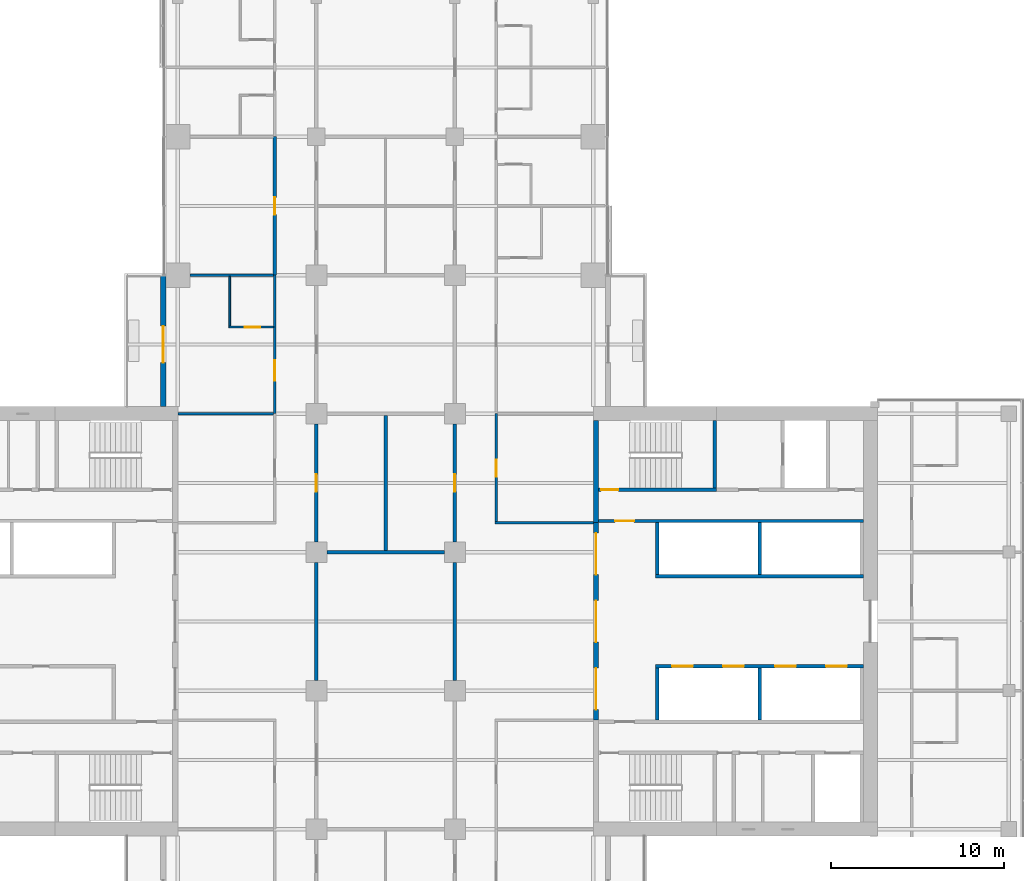
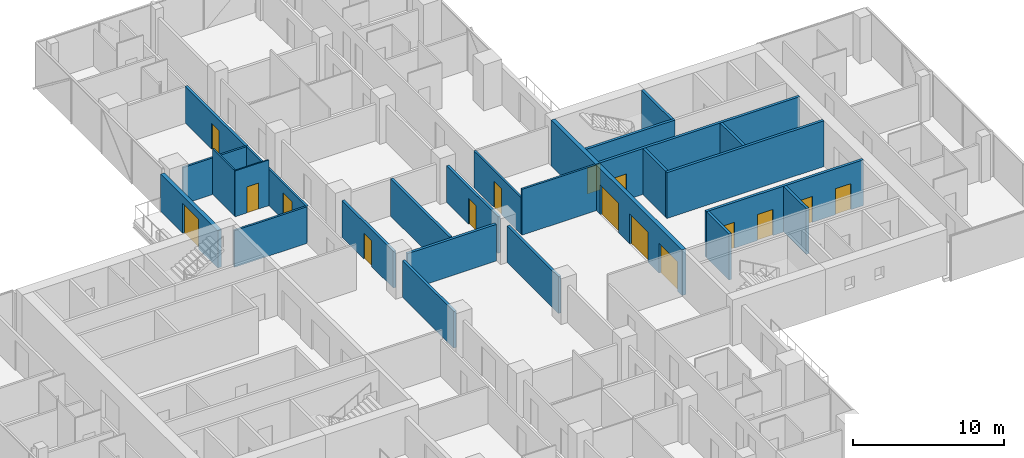
# One storey, part 19 of 27: 26 walls, 16 doors, 16 openings.
"""IFC4 building model written with IfcOpenShell, lengths in metres."""

from ifc_helpers import new_model, si_unit, direction, frame, frame_2d, origin, place, context, subcontext, project, spatial, rectangle, extrude, material, layer, layer_set, type_object, element, fill, save


model = new_model("IFC4")

# Units and contexts
model_context = context("Model", 3, precision=1e-05, world=origin(), true_north=direction((0.0, 1.0)))
body_context = subcontext(model_context, "Body", "Model", "MODEL_VIEW")
ifc_project = project(units=[si_unit("LENGTHUNIT", "METRE"), si_unit("AREAUNIT", "SQUARE_METRE"), si_unit("VOLUMEUNIT", "CUBIC_METRE"), si_unit("PLANEANGLEUNIT", "RADIAN"), si_unit("MASSUNIT", "GRAM", prefix="KILO")], contexts=[model_context])

# Site, building, storey
site_placement = place(None, origin())
site = spatial("IfcSite", under=ifc_project, at=site_placement, CompositionType="ELEMENT")
building_placement = place(site_placement, origin())
building = spatial("IfcBuilding", under=site, at=building_placement, Name="Crosswind Convention Tower", CompositionType="ELEMENT")
storey_placement = place(building_placement, frame((0.0, 0.0, 83.10009765625)))
storey = spatial("IfcBuildingStorey", under=building, at=storey_placement, Name="L15", CompositionType="ELEMENT", Elevation=83.10009765625)

# Wall
ifc_material_1 = material(Name="Plasterboard partition", Category="gypsum")
ifc_layer_1 = layer(ifc_material_1, 0.14990234375)
ifc_layer_set_1 = layer_set([ifc_layer_1], Name="CORRIDOR WALL 150")
wall_type_1 = type_object("IfcWallType", Name="CORRIDOR WALL 150", PredefinedType="PARTITIONING", material=ifc_layer_set_1)
wall_1_placement = place(storey_placement, frame((131.324951171875, 105.699951171875, 0.0), z_axis=(0.0, 0.0, 1.0), x_axis=(1.0, 0.0, 0.0)))
element("IfcWall", 1, at=wall_1_placement, inside=storey, type_object=wall_type_1, Name="Corridor Wall 40", PredefinedType="PARTITIONING", context=body_context, shape_type="SweptSolid", body=[
    extrude(rectangle(XDim=5.675048828125, YDim=0.14990234375, at=frame_2d((2.83740234375, 0.0))), origin(), (0.0, 0.0, 1.0), 3.699951171875),
])

# Wall, opening, door
wall_2_placement = place(storey_placement, frame((131.39990234375, 105.77490234375, 0.0), z_axis=(0.0, 0.0, 1.0), x_axis=(0.0, 1.0, 0.0)))
wall_2 = element("IfcWall", 2, at=wall_2_placement, inside=storey, type_object=wall_type_1, Name="Corridor Wall 111", PredefinedType="PARTITIONING", context=body_context, shape_type="SweptSolid", body=[
    extrude(rectangle(XDim=6.22509765625, YDim=0.14990234375, at=frame_2d((3.112548828125, 0.0))), origin(), (0.0, 0.0, 1.0), 2.956298828125),
])
opening_1_placement = place(wall_2_placement, frame((2.574951171875, 0.0, 0.0)))
opening_1 = element("IfcOpeningElement", 3, at=opening_1_placement, cuts=wall_2, Name="Opening 15.001", PredefinedType="OPENING", context=body_context, shape_type="SweptSolid", body=[
    extrude(rectangle(XDim=1.0, YDim=2.10009765625, at=frame_2d((0.5, 1.050048828125))), frame((0.0, 0.0849609375, 0.0), z_axis=(0.0, -1.0, 0.0), x_axis=(1.0, 0.0, 0.0)), (0.0, 0.0, 1.0), 0.169921875),
])
ifc_material_2 = material(Name="Timber fire door", Category="wood")
door_type_1 = type_object("IfcDoorType", Name="SERVICE ROOM DOOR 1000X2100", OperationType="NOTDEFINED", PredefinedType="DOOR", material=ifc_material_2)
door_1_placement = place(opening_1_placement, frame((1.0, 0.0, 0.0), z_axis=(0.0, 0.0, 1.0), x_axis=(-1.0, 0.0, 0.0)))
door_1 = element("IfcDoor", 4, at=door_1_placement, inside=storey, type_object=door_type_1, Name="Door 15.001", ObjectType="D3", OperationType="SINGLE_SWING_LEFT", OverallHeight=2.10009765625, OverallWidth=1.0, PredefinedType="DOOR", context=body_context, shape_type="SweptSolid", body=[
    extrude(rectangle(XDim=1.0, YDim=2.10009765625, at=frame_2d((0.5, 1.050048828125))), frame((0.0, 0.02490234375, 0.0), z_axis=(0.0, -1.0, 0.0), x_axis=(1.0, 0.0, 0.0)), (0.0, 0.0, 1.0), 0.050048828125),
])
fill(opening_1, door_1)

# Wall, openings, doors
ifc_material_3 = material(Name="Concrete C50/60", Category="concrete")
ifc_layer_2 = layer(ifc_material_3, 0.300048828125)
ifc_layer_set_2 = layer_set([ifc_layer_2], Name="Concrete C50/60")
wall_type_2 = type_object("IfcWallType", Name="Concrete inner core wall 300", PredefinedType="SHEAR", material=ifc_layer_set_2)
wall_3_placement = place(storey_placement, frame((137.14990234375, 94.300048828125, 0.0), z_axis=(0.0, 0.0, 1.0), x_axis=(0.0, 1.0, 0.0)))
wall_3 = element("IfcWall", 5, at=wall_3_placement, inside=storey, type_object=wall_type_2, Name="Wall SCR E L15", PredefinedType="SHEAR", context=body_context, shape_type="SweptSolid", body=[
    extrude(rectangle(XDim=11.39990234375, YDim=0.300048828125, at=frame_2d((5.699951171875, 0.0))), origin(), (0.0, 0.0, 1.0), 3.699951171875),
])
opening_2_placement = place(wall_3_placement, frame((0.60009765625, 0.0, 0.0)))
opening_2 = element("IfcOpeningElement", 6, at=opening_2_placement, cuts=wall_3, Name="Opening D100", PredefinedType="OPENING", context=body_context, shape_type="SweptSolid", body=[
    extrude(rectangle(XDim=2.39990234375, YDim=2.39990234375, at=frame_2d((1.199951171875, 1.199951171875))), frame((0.0, 0.159912109375, 0.0), z_axis=(0.0, -1.0, 0.0), x_axis=(1.0, 0.0, 0.0)), (0.0, 0.0, 1.0), 0.320068359375),
])
opening_3_placement = place(wall_3_placement, frame((4.5, 0.0, 0.0)))
opening_3 = element("IfcOpeningElement", 7, at=opening_3_placement, cuts=wall_3, Name="Opening D100", PredefinedType="OPENING", context=body_context, shape_type="SweptSolid", body=[
    extrude(rectangle(XDim=2.39990234375, YDim=2.39990234375, at=frame_2d((1.199951171875, 1.199951171875))), frame((0.0, 0.159912109375, 0.0), z_axis=(0.0, -1.0, 0.0), x_axis=(1.0, 0.0, 0.0)), (0.0, 0.0, 1.0), 0.320068359375),
])
opening_4_placement = place(wall_3_placement, frame((8.39990234375, 0.0, 0.0)))
opening_4 = element("IfcOpeningElement", 8, at=opening_4_placement, cuts=wall_3, Name="Opening D100", PredefinedType="OPENING", context=body_context, shape_type="SweptSolid", body=[
    extrude(rectangle(XDim=2.39990234375, YDim=2.39990234375, at=frame_2d((1.199951171875, 1.199951171875))), frame((0.0, 0.159912109375, 0.0), z_axis=(0.0, -1.0, 0.0), x_axis=(1.0, 0.0, 0.0)), (0.0, 0.0, 1.0), 0.320068359375),
])
ifc_material_4 = material(Name="Steel fire door with glazed vision panels", Category="steel")
door_type_2 = type_object("IfcDoorType", Name="Fire-rated double door 2400x2400", OperationType="DOUBLE_DOOR_SINGLE_SWING", PredefinedType="DOOR", material=ifc_material_4)
door_2_placement = place(opening_2_placement, origin())
door_2 = element("IfcDoor", 9, at=door_2_placement, inside=storey, type_object=door_type_2, Name="Lobby door 1 L15", ObjectType="D100", OperationType="DOUBLE_DOOR_SINGLE_SWING", OverallHeight=2.39990234375, OverallWidth=2.39990234375, PredefinedType="DOOR", context=body_context, shape_type="SweptSolid", body=[
    extrude(rectangle(XDim=2.39990234375, YDim=2.39990234375, at=frame_2d((1.199951171875, 1.199951171875))), frame((0.0, 0.02490234375, 0.0), z_axis=(0.0, -1.0, 0.0), x_axis=(1.0, 0.0, 0.0)), (0.0, 0.0, 1.0), 0.050048828125),
])
fill(opening_2, door_2)
door_3_placement = place(opening_3_placement, origin())
door_3 = element("IfcDoor", 10, at=door_3_placement, inside=storey, type_object=door_type_2, Name="Lobby door 2 L15", ObjectType="D100", OperationType="DOUBLE_DOOR_SINGLE_SWING", OverallHeight=2.39990234375, OverallWidth=2.39990234375, PredefinedType="DOOR", context=body_context, shape_type="SweptSolid", body=[
    extrude(rectangle(XDim=2.39990234375, YDim=2.39990234375, at=frame_2d((1.199951171875, 1.199951171875))), frame((0.0, 0.02490234375, 0.0), z_axis=(0.0, -1.0, 0.0), x_axis=(1.0, 0.0, 0.0)), (0.0, 0.0, 1.0), 0.050048828125),
])
fill(opening_3, door_3)
door_4_placement = place(opening_4_placement, origin())
door_4 = element("IfcDoor", 11, at=door_4_placement, inside=storey, type_object=door_type_2, Name="Lobby door 3 L15", ObjectType="D100", OperationType="DOUBLE_DOOR_SINGLE_SWING", OverallHeight=2.39990234375, OverallWidth=2.39990234375, PredefinedType="DOOR", context=body_context, shape_type="SweptSolid", body=[
    extrude(rectangle(XDim=2.39990234375, YDim=2.39990234375, at=frame_2d((1.199951171875, 1.199951171875))), frame((0.0, 0.02490234375, 0.0), z_axis=(0.0, -1.0, 0.0), x_axis=(1.0, 0.0, 0.0)), (0.0, 0.0, 1.0), 0.050048828125),
])
fill(opening_4, door_4)

# Walls
wall_4_placement = place(storey_placement, frame((137.14990234375, 105.699951171875, 0.0), z_axis=(0.0, 0.0, 1.0), x_axis=(0.0, 1.0, 0.0)))
element("IfcWall", 12, at=wall_4_placement, inside=storey, type_object=wall_type_2, Name="Wall EP E L15", PredefinedType="SHEAR", context=body_context, shape_type="SweptSolid", body=[
    extrude(rectangle(XDim=5.900146484375, YDim=0.300048828125, at=frame_2d((2.9501953125, 0.0))), origin(), (0.0, 0.0, 1.0), 3.699951171875),
])
ifc_layer_3 = layer(ifc_material_3, 0.199951171875)
ifc_layer_set_3 = layer_set([ifc_layer_3], Name="Concrete C50/60")
wall_type_3 = type_object("IfcWallType", Name="Concrete shaft and stair wall 200", PredefinedType="SHEAR", material=ifc_layer_set_3)
for number, where, z_axis, x_axis, name in (
    (13, (140.699951171875, 102.699951171875, 0.0), (0.0, 0.0, 1.0), (0.0, 1.0, 0.0), "Wall RPEND E L15"),
    (14, (146.60009765625, 102.699951171875, 0.0), (0.0, 0.0, 1.0), (0.0, 1.0, 0.0), "Wall RPSEP E L15"),
):
    element("IfcWall", number, at=place(storey_placement, frame(where, z_axis=z_axis, x_axis=x_axis)), inside=storey, type_object=wall_type_3, Name=name, PredefinedType="SHEAR", context=body_context, shape_type="SweptSolid", body=[
        extrude(rectangle(XDim=3.0, YDim=0.199951171875, at=frame_2d((1.5, 0.0))), origin(), (0.0, 0.0, 1.0), 3.699951171875),
    ])
wall_5_placement = place(storey_placement, frame((140.60009765625, 102.60009765625, 0.0), z_axis=(0.0, 0.0, 1.0), x_axis=(1.0, 0.0, 0.0)))
element("IfcWall", 15, at=wall_5_placement, inside=storey, type_object=wall_type_3, Name="Wall RPFRONT E L15", PredefinedType="SHEAR", context=body_context, shape_type="SweptSolid", body=[
    extrude(rectangle(XDim=12.0, YDim=0.199951171875, at=frame_2d((6.0, 0.0))), origin(), (0.0, 0.0, 1.0), 3.699951171875),
])
for number, where, z_axis, x_axis, name in (
    (16, (140.699951171875, 94.300048828125, 0.0), (0.0, 0.0, 1.0), (0.0, 1.0, 0.0), "Wall RMEND E L15"),
    (17, (146.60009765625, 94.300048828125, 0.0), (0.0, 0.0, 1.0), (0.0, 1.0, 0.0), "Wall RMSEP E L15"),
):
    element("IfcWall", number, at=place(storey_placement, frame(where, z_axis=z_axis, x_axis=x_axis)), inside=storey, type_object=wall_type_3, Name=name, PredefinedType="SHEAR", context=body_context, shape_type="SweptSolid", body=[
        extrude(rectangle(XDim=3.0, YDim=0.199951171875, at=frame_2d((1.5, 0.0))), origin(), (0.0, 0.0, 1.0), 3.699951171875),
    ])

# Wall, openings, doors
wall_6_placement = place(storey_placement, frame((140.60009765625, 97.39990234375, 0.0), z_axis=(0.0, 0.0, 1.0), x_axis=(1.0, 0.0, 0.0)))
wall_6 = element("IfcWall", 18, at=wall_6_placement, inside=storey, type_object=wall_type_3, Name="Wall RMFRONT E L15", PredefinedType="SHEAR", context=body_context, shape_type="SweptSolid", body=[
    extrude(rectangle(XDim=12.0, YDim=0.199951171875, at=frame_2d((6.0, 0.0))), origin(), (0.0, 0.0, 1.0), 3.699951171875),
])
opening_5_placement = place(wall_6_placement, frame((0.949951171875, 0.0, 0.0)))
opening_5 = element("IfcOpeningElement", 19, at=opening_5_placement, cuts=wall_6, Name="Opening LD1", PredefinedType="OPENING", context=body_context, shape_type="SweptSolid", body=[
    extrude(rectangle(XDim=1.199951171875, YDim=2.10009765625, at=frame_2d((0.60009765625, 1.050048828125))), frame((0.0, 0.10986328125, 0.0), z_axis=(0.0, -1.0, 0.0), x_axis=(1.0, 0.0, 0.0)), (0.0, 0.0, 1.0), 0.219970703125),
])
opening_6_placement = place(wall_6_placement, frame((3.89990234375, 0.0, 0.0)))
opening_6 = element("IfcOpeningElement", 20, at=opening_6_placement, cuts=wall_6, Name="Opening LD1", PredefinedType="OPENING", context=body_context, shape_type="SweptSolid", body=[
    extrude(rectangle(XDim=1.199951171875, YDim=2.10009765625, at=frame_2d((0.60009765625, 1.050048828125))), frame((0.0, 0.10986328125, 0.0), z_axis=(0.0, -1.0, 0.0), x_axis=(1.0, 0.0, 0.0)), (0.0, 0.0, 1.0), 0.219970703125),
])
opening_7_placement = place(wall_6_placement, frame((6.89990234375, 0.0, 0.0)))
opening_7 = element("IfcOpeningElement", 21, at=opening_7_placement, cuts=wall_6, Name="Opening LD1", PredefinedType="OPENING", context=body_context, shape_type="SweptSolid", body=[
    extrude(rectangle(XDim=1.199951171875, YDim=2.10009765625, at=frame_2d((0.60009765625, 1.050048828125))), frame((0.0, 0.10986328125, 0.0), z_axis=(0.0, -1.0, 0.0), x_axis=(1.0, 0.0, 0.0)), (0.0, 0.0, 1.0), 0.219970703125),
])
opening_8_placement = place(wall_6_placement, frame((9.85009765625, 0.0, 0.0)))
opening_8 = element("IfcOpeningElement", 22, at=opening_8_placement, cuts=wall_6, Name="Opening LD1", PredefinedType="OPENING", context=body_context, shape_type="SweptSolid", body=[
    extrude(rectangle(XDim=1.199951171875, YDim=2.10009765625, at=frame_2d((0.60009765625, 1.050048828125))), frame((0.0, 0.10986328125, 0.0), z_axis=(0.0, -1.0, 0.0), x_axis=(1.0, 0.0, 0.0)), (0.0, 0.0, 1.0), 0.219970703125),
])
ifc_material_5 = material(Name="Stainless steel", Category="steel")
door_type_3 = type_object("IfcDoorType", Name="Lift landing door 1200x2100", OperationType="DOUBLE_DOOR_SLIDING", PredefinedType="DOOR", material=ifc_material_5)
door_5_placement = place(opening_5_placement, origin())
door_5 = element("IfcDoor", 23, at=door_5_placement, inside=storey, type_object=door_type_3, Name="Landing door H1 L15", ObjectType="LD1", OperationType="DOUBLE_DOOR_SLIDING", OverallHeight=2.10009765625, OverallWidth=1.199951171875, PredefinedType="DOOR", context=body_context, shape_type="SweptSolid", body=[
    extrude(rectangle(XDim=1.199951171875, YDim=2.10009765625, at=frame_2d((0.60009765625, 1.050048828125))), frame((0.0, 0.02490234375, 0.0), z_axis=(0.0, -1.0, 0.0), x_axis=(1.0, 0.0, 0.0)), (0.0, 0.0, 1.0), 0.050048828125),
])
fill(opening_5, door_5)
door_6_placement = place(opening_6_placement, origin())
door_6 = element("IfcDoor", 24, at=door_6_placement, inside=storey, type_object=door_type_3, Name="Landing door H2 L15", ObjectType="LD1", OperationType="DOUBLE_DOOR_SLIDING", OverallHeight=2.10009765625, OverallWidth=1.199951171875, PredefinedType="DOOR", context=body_context, shape_type="SweptSolid", body=[
    extrude(rectangle(XDim=1.199951171875, YDim=2.10009765625, at=frame_2d((0.60009765625, 1.050048828125))), frame((0.0, 0.02490234375, 0.0), z_axis=(0.0, -1.0, 0.0), x_axis=(1.0, 0.0, 0.0)), (0.0, 0.0, 1.0), 0.050048828125),
])
fill(opening_6, door_6)
door_7_placement = place(opening_7_placement, origin())
door_7 = element("IfcDoor", 25, at=door_7_placement, inside=storey, type_object=door_type_3, Name="Landing door H3 L15", ObjectType="LD1", OperationType="DOUBLE_DOOR_SLIDING", OverallHeight=2.10009765625, OverallWidth=1.199951171875, PredefinedType="DOOR", context=body_context, shape_type="SweptSolid", body=[
    extrude(rectangle(XDim=1.199951171875, YDim=2.10009765625, at=frame_2d((0.60009765625, 1.050048828125))), frame((0.0, 0.02490234375, 0.0), z_axis=(0.0, -1.0, 0.0), x_axis=(1.0, 0.0, 0.0)), (0.0, 0.0, 1.0), 0.050048828125),
])
fill(opening_7, door_7)
door_8_placement = place(opening_8_placement, origin())
door_8 = element("IfcDoor", 26, at=door_8_placement, inside=storey, type_object=door_type_3, Name="Landing door H4 L15", ObjectType="LD1", OperationType="DOUBLE_DOOR_SLIDING", OverallHeight=2.10009765625, OverallWidth=1.199951171875, PredefinedType="DOOR", context=body_context, shape_type="SweptSolid", body=[
    extrude(rectangle(XDim=1.199951171875, YDim=2.10009765625, at=frame_2d((0.60009765625, 1.050048828125))), frame((0.0, 0.02490234375, 0.0), z_axis=(0.0, -1.0, 0.0), x_axis=(1.0, 0.0, 0.0)), (0.0, 0.0, 1.0), 0.050048828125),
])
fill(opening_8, door_8)

# Wall, opening, door
wall_7_placement = place(storey_placement, frame((137.300048828125, 105.800048828125, 0.0), z_axis=(0.0, 0.0, 1.0), x_axis=(1.0, 0.0, 0.0)))
wall_7 = element("IfcWall", 27, at=wall_7_placement, inside=storey, type_object=wall_type_3, Name="Wall HP E L15", PredefinedType="SHEAR", context=body_context, shape_type="SweptSolid", body=[
    extrude(rectangle(XDim=15.300048828125, YDim=0.199951171875, at=frame_2d((7.64990234375, 0.0))), origin(), (0.0, 0.0, 1.0), 3.699951171875),
])
opening_9_placement = place(wall_7_placement, frame((0.949951171875, 0.0, 0.0)))
opening_9 = element("IfcOpeningElement", 28, at=opening_9_placement, cuts=wall_7, Name="Opening D104", PredefinedType="OPENING", context=body_context, shape_type="SweptSolid", body=[
    extrude(rectangle(XDim=1.10009765625, YDim=2.10009765625, at=frame_2d((0.550048828125, 1.050048828125))), frame((0.0, 0.10986328125, 0.0), z_axis=(0.0, -1.0, 0.0), x_axis=(1.0, 0.0, 0.0)), (0.0, 0.0, 1.0), 0.219970703125),
])
ifc_material_6 = material(Name="Steel fire door", Category="steel")
door_type_4 = type_object("IfcDoorType", Name="Fire-rated single door 1100x2100", OperationType="NOTDEFINED", PredefinedType="DOOR", material=ifc_material_6)
door_9_placement = place(opening_9_placement, origin())
door_9 = element("IfcDoor", 29, at=door_9_placement, inside=storey, type_object=door_type_4, Name="Corridor door L15", ObjectType="D104", OperationType="SINGLE_SWING_LEFT", OverallHeight=2.10009765625, OverallWidth=1.10009765625, PredefinedType="DOOR", context=body_context, shape_type="SweptSolid", body=[
    extrude(rectangle(XDim=1.10009765625, YDim=2.10009765625, at=frame_2d((0.550048828125, 1.050048828125))), frame((0.0, 0.02490234375, 0.0), z_axis=(0.0, -1.0, 0.0), x_axis=(1.0, 0.0, 0.0)), (0.0, 0.0, 1.0), 0.050048828125),
])
fill(opening_9, door_9)

# Wall
wall_8_placement = place(storey_placement, frame((144.0, 107.699951171875, 0.0), z_axis=(0.0, 0.0, 1.0), x_axis=(0.0, 1.0, 0.0)))
element("IfcWall", 30, at=wall_8_placement, inside=storey, type_object=wall_type_3, Name="Wall PSE E L15", PredefinedType="SHEAR", context=body_context, shape_type="SweptSolid", body=[
    extrude(rectangle(XDim=3.900146484375, YDim=0.199951171875, at=frame_2d((1.9501953125, 0.0))), origin(), (0.0, 0.0, 1.0), 3.699951171875),
])

# Wall, opening, door
wall_9_placement = place(storey_placement, frame((137.300048828125, 107.60009765625, 0.0), z_axis=(0.0, 0.0, 1.0), x_axis=(1.0, 0.0, 0.0)))
wall_9 = element("IfcWall", 31, at=wall_9_placement, inside=storey, type_object=wall_type_3, Name="Wall PCW E L15", PredefinedType="SHEAR", context=body_context, shape_type="SweptSolid", body=[
    extrude(rectangle(XDim=6.800048828125, YDim=0.199951171875, at=frame_2d((3.39990234375, 0.0))), origin(), (0.0, 0.0, 1.0), 3.699951171875),
])
opening_10_placement = place(wall_9_placement, frame((0.14990234375, 0.0, 0.0)))
opening_10 = element("IfcOpeningElement", 32, at=opening_10_placement, cuts=wall_9, Name="Opening D103", PredefinedType="OPENING", context=body_context, shape_type="SweptSolid", body=[
    extrude(rectangle(XDim=1.0, YDim=2.10009765625, at=frame_2d((0.5, 1.050048828125))), frame((0.0, 0.10986328125, 0.0), z_axis=(0.0, -1.0, 0.0), x_axis=(1.0, 0.0, 0.0)), (0.0, 0.0, 1.0), 0.219970703125),
])
door_type_5 = type_object("IfcDoorType", Name="Fire-rated single door 1000x2100", OperationType="NOTDEFINED", PredefinedType="DOOR", material=ifc_material_6)
door_10_placement = place(opening_10_placement, origin())
door_10 = element("IfcDoor", 33, at=door_10_placement, inside=storey, type_object=door_type_5, Name="Stair ST1 door L15", ObjectType="D103", OperationType="SINGLE_SWING_LEFT", OverallHeight=2.10009765625, OverallWidth=1.0, PredefinedType="DOOR", context=body_context, shape_type="SweptSolid", body=[
    extrude(rectangle(XDim=1.0, YDim=2.10009765625, at=frame_2d((0.5, 1.050048828125))), frame((0.0, 0.02490234375, 0.0), z_axis=(0.0, -1.0, 0.0), x_axis=(1.0, 0.0, 0.0)), (0.0, 0.0, 1.0), 0.050048828125),
])
fill(opening_10, door_10)

# Walls
ifc_material_7 = material(Name="Acoustic plasterboard partition", Category="gypsum")
ifc_layer_4 = layer(ifc_material_7, 0.14990234375)
ifc_layer_set_4 = layer_set([ifc_layer_4], Name="GUEST ROOM WALL 150")
wall_type_4 = type_object("IfcWallType", Name="GUEST ROOM WALL 150", PredefinedType="PARTITIONING", material=ifc_layer_set_4)
wall_10_placement = place(storey_placement, frame((113.0, 112.0, 0.0), z_axis=(0.0, 0.0, 1.0), x_axis=(1.0, 0.0, 0.0)))
element("IfcWall", 34, at=wall_10_placement, inside=storey, type_object=wall_type_4, Name="Guest Room Wall 42", PredefinedType="PARTITIONING", context=body_context, shape_type="SweptSolid", body=[
    extrude(rectangle(XDim=5.52490234375, YDim=0.14990234375, at=frame_2d((2.762451171875, 0.0))), origin(), (0.0, 0.0, 1.0), 2.956298828125),
])
wall_11_placement = place(storey_placement, frame((113.699951171875, 120.0, 0.0), z_axis=(0.0, 0.0, 1.0), x_axis=(1.0, 0.0, 0.0)))
element("IfcWall", 35, at=wall_11_placement, inside=storey, type_object=wall_type_4, Name="Guest Room Wall 46", PredefinedType="PARTITIONING", context=body_context, shape_type="SweptSolid", body=[
    extrude(rectangle(XDim=4.824951171875, YDim=0.14990234375, at=frame_2d((2.41259765625, 0.0))), origin(), (0.0, 0.0, 1.0), 2.959716796875),
])

# Wall, opening, door
wall_12_placement = place(storey_placement, frame((118.60009765625, 112.0, 0.0), z_axis=(0.0, 0.0, 1.0), x_axis=(0.0, 1.0, 0.0)))
wall_12 = element("IfcWall", 36, at=wall_12_placement, inside=storey, type_object=wall_type_4, Name="Guest Room Wall 76", PredefinedType="PARTITIONING", context=body_context, shape_type="SweptSolid", body=[
    extrude(rectangle(XDim=8.0, YDim=0.14990234375, at=frame_2d((4.0, 0.0))), origin(), (0.0, 0.0, 1.0), 2.956298828125),
])
opening_11_placement = place(wall_12_placement, frame((1.89990234375, 0.0, 0.0)))
opening_11 = element("IfcOpeningElement", 37, at=opening_11_placement, cuts=wall_12, Name="Opening 15.013", PredefinedType="OPENING", context=body_context, shape_type="SweptSolid", body=[
    extrude(rectangle(XDim=1.199951171875, YDim=2.199951171875, at=frame_2d((0.60009765625, 1.10009765625))), frame((0.0, 0.0849609375, 0.0), z_axis=(0.0, -1.0, 0.0), x_axis=(1.0, 0.0, 0.0)), (0.0, 0.0, 1.0), 0.169921875),
])
door_type_6 = type_object("IfcDoorType", Name="SUITE DOOR 1200X2200", OperationType="DOUBLE_DOOR_SINGLE_SWING", PredefinedType="DOOR", material=ifc_material_2)
door_11_placement = place(opening_11_placement, origin())
door_11 = element("IfcDoor", 38, at=door_11_placement, inside=storey, type_object=door_type_6, Name="Door 15.013", ObjectType="D14", OperationType="DOUBLE_DOOR_SINGLE_SWING", OverallHeight=2.199951171875, OverallWidth=1.199951171875, PredefinedType="DOOR", context=body_context, shape_type="SweptSolid", body=[
    extrude(rectangle(XDim=1.199951171875, YDim=2.199951171875, at=frame_2d((0.60009765625, 1.10009765625))), frame((0.0, 0.02490234375, 0.0), z_axis=(0.0, -1.0, 0.0), x_axis=(1.0, 0.0, 0.0)), (0.0, 0.0, 1.0), 0.050048828125),
])
fill(opening_11, door_11)

# Wall
ifc_material_8 = material(Name="Double plasterboard partition", Category="gypsum")
ifc_layer_5 = layer(ifc_material_8, 0.199951171875)
ifc_layer_set_5 = layer_set([ifc_layer_5], Name="HALL WALL 200")
wall_type_5 = type_object("IfcWallType", Name="HALL WALL 200", PredefinedType="PARTITIONING", material=ifc_layer_set_5)
wall_13_placement = place(storey_placement, frame((121.60009765625, 104.0, 0.0), z_axis=(0.0, 0.0, 1.0), x_axis=(1.0, 0.0, 0.0)))
element("IfcWall", 39, at=wall_13_placement, inside=storey, type_object=wall_type_5, Name="Hall Wall 36", PredefinedType="PARTITIONING", context=body_context, shape_type="SweptSolid", body=[
    extrude(rectangle(XDim=6.7998046875, YDim=0.199951171875, at=frame_2d((3.39990234375, 0.0))), origin(), (0.0, 0.0, 1.0), 2.959716796875),
])

# Wall, opening, door
wall_14_placement = place(storey_placement, frame((118.60009765625, 120.0, 0.0), z_axis=(0.0, 0.0, 1.0), x_axis=(0.0, 1.0, 0.0)))
wall_14 = element("IfcWall", 40, at=wall_14_placement, inside=storey, type_object=wall_type_5, Name="Hall Wall 77", PredefinedType="PARTITIONING", context=body_context, shape_type="SweptSolid", body=[
    extrude(rectangle(XDim=8.0, YDim=0.199951171875, at=frame_2d((4.0, 0.0))), origin(), (0.0, 0.0, 1.0), 2.959716796875),
])
opening_12_placement = place(wall_14_placement, frame((3.5, 0.0, 0.0)))
opening_12 = element("IfcOpeningElement", 41, at=opening_12_placement, cuts=wall_14, Name="Opening 15.015", PredefinedType="OPENING", context=body_context, shape_type="SweptSolid", body=[
    extrude(rectangle(XDim=1.0, YDim=2.10009765625, at=frame_2d((0.5, 1.050048828125))), frame((0.0, 0.10986328125, 0.0), z_axis=(0.0, -1.0, 0.0), x_axis=(1.0, 0.0, 0.0)), (0.0, 0.0, 1.0), 0.219970703125),
])
door_type_7 = type_object("IfcDoorType", Name="MEETING ROOM DOOR 1000X2100", OperationType="NOTDEFINED", PredefinedType="DOOR", material=ifc_material_2)
door_12_placement = place(opening_12_placement, frame((1.0, 0.0, 0.0), z_axis=(0.0, 0.0, 1.0), x_axis=(-1.0, 0.0, 0.0)))
door_12 = element("IfcDoor", 42, at=door_12_placement, inside=storey, type_object=door_type_7, Name="Door 15.015", ObjectType="D13", OperationType="SINGLE_SWING_LEFT", OverallHeight=2.10009765625, OverallWidth=1.0, PredefinedType="DOOR", context=body_context, shape_type="SweptSolid", body=[
    extrude(rectangle(XDim=1.0, YDim=2.10009765625, at=frame_2d((0.5, 1.050048828125))), frame((0.0, 0.02490234375, 0.0), z_axis=(0.0, -1.0, 0.0), x_axis=(1.0, 0.0, 0.0)), (0.0, 0.0, 1.0), 0.050048828125),
])
fill(opening_12, door_12)

# Wall
wall_15_placement = place(storey_placement, frame((121.0, 96.60009765625, 0.0), z_axis=(0.0, 0.0, 1.0), x_axis=(0.0, 1.0, 0.0)))
element("IfcWall", 43, at=wall_15_placement, inside=storey, type_object=wall_type_5, Name="Hall Wall 84", PredefinedType="PARTITIONING", context=body_context, shape_type="SweptSolid", body=[
    extrude(rectangle(XDim=6.7998046875, YDim=0.199951171875, at=frame_2d((3.39990234375, 0.0))), origin(), (0.0, 0.0, 1.0), 2.959716796875),
])

# Wall, opening, door
wall_16_placement = place(storey_placement, frame((121.0, 104.60009765625, 0.0), z_axis=(0.0, 0.0, 1.0), x_axis=(0.0, 1.0, 0.0)))
wall_16 = element("IfcWall", 44, at=wall_16_placement, inside=storey, type_object=wall_type_5, Name="Hall Wall 85", PredefinedType="PARTITIONING", context=body_context, shape_type="SweptSolid", body=[
    extrude(rectangle(XDim=6.7998046875, YDim=0.199951171875, at=frame_2d((3.39990234375, 0.0))), origin(), (0.0, 0.0, 1.0), 2.959716796875),
])
opening_13_placement = place(wall_16_placement, frame((2.89990234375, 0.0, 0.0)))
opening_13 = element("IfcOpeningElement", 45, at=opening_13_placement, cuts=wall_16, Name="Opening 15.056", PredefinedType="OPENING", context=body_context, shape_type="SweptSolid", body=[
    extrude(rectangle(XDim=1.0, YDim=2.10009765625, at=frame_2d((0.5, 1.050048828125))), frame((0.0, 0.10986328125, 0.0), z_axis=(0.0, -1.0, 0.0), x_axis=(1.0, 0.0, 0.0)), (0.0, 0.0, 1.0), 0.219970703125),
])
door_13_placement = place(opening_13_placement, frame((1.0, 0.0, 0.0), z_axis=(0.0, 0.0, 1.0), x_axis=(-1.0, 0.0, 0.0)))
door_13 = element("IfcDoor", 46, at=door_13_placement, inside=storey, type_object=door_type_7, Name="Door 15.056", ObjectType="D13", OperationType="SINGLE_SWING_LEFT", OverallHeight=2.10009765625, OverallWidth=1.0, PredefinedType="DOOR", context=body_context, shape_type="SweptSolid", body=[
    extrude(rectangle(XDim=1.0, YDim=2.10009765625, at=frame_2d((0.5, 1.050048828125))), frame((0.0, 0.02490234375, 0.0), z_axis=(0.0, -1.0, 0.0), x_axis=(1.0, 0.0, 0.0)), (0.0, 0.0, 1.0), 0.050048828125),
])
fill(opening_13, door_13)

# Walls
wall_17_placement = place(storey_placement, frame((125.0, 104.10009765625, 0.0), z_axis=(0.0, 0.0, 1.0), x_axis=(0.0, 1.0, 0.0)))
element("IfcWall", 47, at=wall_17_placement, inside=storey, type_object=wall_type_5, Name="Hall Wall 93", PredefinedType="PARTITIONING", context=body_context, shape_type="SweptSolid", body=[
    extrude(rectangle(XDim=7.7998046875, YDim=0.199951171875, at=frame_2d((3.89990234375, 0.0))), origin(), (0.0, 0.0, 1.0), 3.013427734375),
])
wall_18_placement = place(storey_placement, frame((129.0, 96.60009765625, 0.0), z_axis=(0.0, 0.0, 1.0), x_axis=(0.0, 1.0, 0.0)))
element("IfcWall", 48, at=wall_18_placement, inside=storey, type_object=wall_type_5, Name="Hall Wall 102", PredefinedType="PARTITIONING", context=body_context, shape_type="SweptSolid", body=[
    extrude(rectangle(XDim=6.7998046875, YDim=0.199951171875, at=frame_2d((3.39990234375, 0.0))), origin(), (0.0, 0.0, 1.0), 2.959716796875),
])

# Wall, opening, door
wall_19_placement = place(storey_placement, frame((129.0, 104.60009765625, 0.0), z_axis=(0.0, 0.0, 1.0), x_axis=(0.0, 1.0, 0.0)))
wall_19 = element("IfcWall", 49, at=wall_19_placement, inside=storey, type_object=wall_type_5, Name="Hall Wall 103", PredefinedType="PARTITIONING", context=body_context, shape_type="SweptSolid", body=[
    extrude(rectangle(XDim=6.7998046875, YDim=0.199951171875, at=frame_2d((3.39990234375, 0.0))), origin(), (0.0, 0.0, 1.0), 2.959716796875),
])
opening_14_placement = place(wall_19_placement, frame((2.89990234375, 0.0, 0.0)))
opening_14 = element("IfcOpeningElement", 50, at=opening_14_placement, cuts=wall_19, Name="Opening 15.057", PredefinedType="OPENING", context=body_context, shape_type="SweptSolid", body=[
    extrude(rectangle(XDim=1.0, YDim=2.10009765625, at=frame_2d((0.5, 1.050048828125))), frame((0.0, 0.10986328125, 0.0), z_axis=(0.0, -1.0, 0.0), x_axis=(1.0, 0.0, 0.0)), (0.0, 0.0, 1.0), 0.219970703125),
])
door_14_placement = place(opening_14_placement, origin())
door_14 = element("IfcDoor", 51, at=door_14_placement, inside=storey, type_object=door_type_7, Name="Door 15.057", ObjectType="D13", OperationType="SINGLE_SWING_RIGHT", OverallHeight=2.10009765625, OverallWidth=1.0, PredefinedType="DOOR", context=body_context, shape_type="SweptSolid", body=[
    extrude(rectangle(XDim=1.0, YDim=2.10009765625, at=frame_2d((0.5, 1.050048828125))), frame((0.0, 0.02490234375, 0.0), z_axis=(0.0, -1.0, 0.0), x_axis=(1.0, 0.0, 0.0)), (0.0, 0.0, 1.0), 0.050048828125),
])
fill(opening_14, door_14)

ifc_material_9 = material(Name="Terracotta rainscreen", Category="ceramic")
ifc_layer_6 = layer(ifc_material_9, 0.02001953125)
ifc_material_10 = material(Name="Mineral wool insulation", Category="insulation")
ifc_layer_7 = layer(ifc_material_10, 0.10009765625)
ifc_material_11 = material(Name="Concrete blockwork", Category="masonry")
ifc_layer_8 = layer(ifc_material_11, 0.179931640625)
ifc_layer_set_6 = layer_set([ifc_layer_6, ifc_layer_7, ifc_layer_8], Name="TERRACOTTA INFILL WALL 300")
wall_type_6 = type_object("IfcWallType", Name="TERRACOTTA INFILL WALL 300", PredefinedType="SOLIDWALL", material=ifc_layer_set_6)
wall_20_placement = place(storey_placement, frame((112.14990234375, 119.967529296875, 0.0), z_axis=(0.0, 0.0, 1.0), x_axis=(0.0, -1.0, 0.0)))
wall_20 = element("IfcWall", 52, at=wall_20_placement, inside=storey, type_object=wall_type_6, Name="Notch front wall L15 N-W.1-3", PredefinedType="SOLIDWALL", context=body_context, shape_type="SweptSolid", body=[
    extrude(rectangle(XDim=7.567626953125, YDim=0.300048828125, at=frame_2d((3.78369140625, 0.0))), origin(), (0.0, 0.0, 1.0), 3.013427734375),
])
opening_15_placement = place(wall_20_placement, frame((2.91748046875, 0.0, 0.0)))
opening_15 = element("IfcOpeningElement", 53, at=opening_15_placement, cuts=wall_20, Name="Opening D141", PredefinedType="OPENING", context=body_context, shape_type="SweptSolid", body=[
    extrude(rectangle(XDim=2.10009765625, YDim=2.39990234375, at=frame_2d((1.050048828125, 1.199951171875))), frame((0.0, 0.159912109375, 0.0), z_axis=(0.0, -1.0, 0.0), x_axis=(1.0, 0.0, 0.0)), (0.0, 0.0, 1.0), 0.320068359375),
])
ifc_material_12 = material(Name="Aluminium glazed door", Category="aluminium")
door_type_8 = type_object("IfcDoorType", Name="BALCONY SLIDING DOOR 2100X2400", OperationType="SLIDING_TO_LEFT", PredefinedType="DOOR", material=ifc_material_12)
door_15_placement = place(opening_15_placement, frame((2.10009765625, 0.0, 0.0), z_axis=(0.0, 0.0, 1.0), x_axis=(-1.0, 0.0, 0.0)))
door_15 = element("IfcDoor", 54, at=door_15_placement, inside=storey, type_object=door_type_8, Name="D141 balcony door L15 N-W.1-3", ObjectType="D141", OperationType="SLIDING_TO_LEFT", OverallHeight=2.39990234375, OverallWidth=2.10009765625, PredefinedType="DOOR", context=body_context, shape_type="SweptSolid", body=[
    extrude(rectangle(XDim=2.10009765625, YDim=2.39990234375, at=frame_2d((1.050048828125, 1.199951171875))), frame((0.0, 0.02490234375, 0.0), z_axis=(0.0, -1.0, 0.0), x_axis=(1.0, 0.0, 0.0)), (0.0, 0.0, 1.0), 0.050048828125),
])
fill(opening_15, door_15)

ifc_material_13 = material(Name="Water-resistant plasterboard partition", Category="gypsum")
ifc_layer_9 = layer(ifc_material_13, 0.10009765625)
ifc_layer_set_7 = layer_set([ifc_layer_9], Name="WET ROOM PARTITION 100")
wall_type_7 = type_object("IfcWallType", Name="WET ROOM PARTITION 100", PredefinedType="PLUMBINGWALL", material=ifc_layer_set_7)
wall_21_placement = place(storey_placement, frame((115.949951171875, 117.0, 0.0), z_axis=(0.0, 0.0, 1.0), x_axis=(1.0, 0.0, 0.0)))
wall_21 = element("IfcWall", 55, at=wall_21_placement, inside=storey, type_object=wall_type_7, Name="Wet Room Partition 45", PredefinedType="PLUMBINGWALL", context=body_context, shape_type="SweptSolid", body=[
    extrude(rectangle(XDim=2.574951171875, YDim=0.10009765625, at=frame_2d((1.28759765625, 0.0))), origin(), (0.0, 0.0, 1.0), 3.699951171875),
])
opening_16_placement = place(wall_21_placement, frame((0.89990234375, 0.0, 0.0)))
opening_16 = element("IfcOpeningElement", 56, at=opening_16_placement, cuts=wall_21, Name="Opening 15.014", PredefinedType="OPENING", context=body_context, shape_type="SweptSolid", body=[
    extrude(rectangle(XDim=0.89990234375, YDim=2.10009765625, at=frame_2d((0.449951171875, 1.050048828125))), frame((0.0, 0.06005859375, 0.0), z_axis=(0.0, -1.0, 0.0), x_axis=(1.0, 0.0, 0.0)), (0.0, 0.0, 1.0), 0.1201171875),
])
ifc_material_14 = material(Name="Timber door", Category="wood")
door_type_9 = type_object("IfcDoorType", Name="EN-SUITE DOOR 900X2100", OperationType="NOTDEFINED", PredefinedType="DOOR", material=ifc_material_14)
door_16_placement = place(opening_16_placement, origin())
door_16 = element("IfcDoor", 57, at=door_16_placement, inside=storey, type_object=door_type_9, Name="Door 15.014", ObjectType="D2", OperationType="SINGLE_SWING_RIGHT", OverallHeight=2.10009765625, OverallWidth=0.89990234375, PredefinedType="DOOR", context=body_context, shape_type="SweptSolid", body=[
    extrude(rectangle(XDim=0.89990234375, YDim=2.10009765625, at=frame_2d((0.449951171875, 1.050048828125))), frame((0.0, 0.02490234375, 0.0), z_axis=(0.0, -1.0, 0.0), x_axis=(1.0, 0.0, 0.0)), (0.0, 0.0, 1.0), 0.050048828125),
])
fill(opening_16, door_16)

# Wall
wall_22_placement = place(storey_placement, frame((116.0, 117.050048828125, 0.0), z_axis=(0.0, 0.0, 1.0), x_axis=(0.0, 1.0, 0.0)))
element("IfcWall", 58, at=wall_22_placement, inside=storey, type_object=wall_type_7, Name="Wet Room Partition 68", PredefinedType="PLUMBINGWALL", context=body_context, shape_type="SweptSolid", body=[
    extrude(rectangle(XDim=2.875, YDim=0.10009765625, at=frame_2d((1.4375, 0.0))), origin(), (0.0, 0.0, 1.0), 3.699951171875),
])

save(model, "model.ifc")
